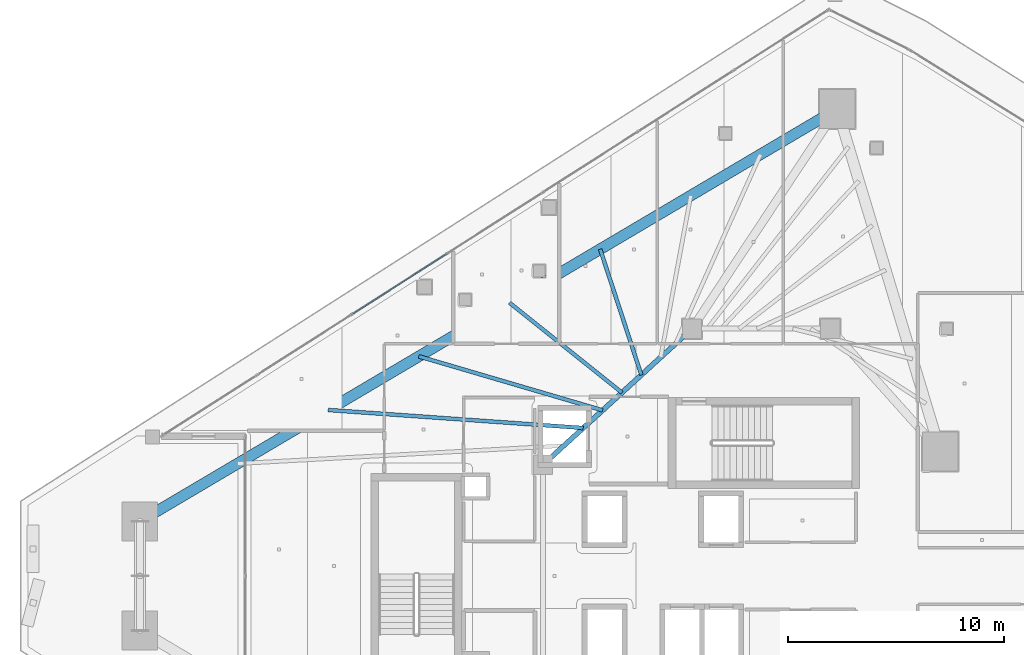
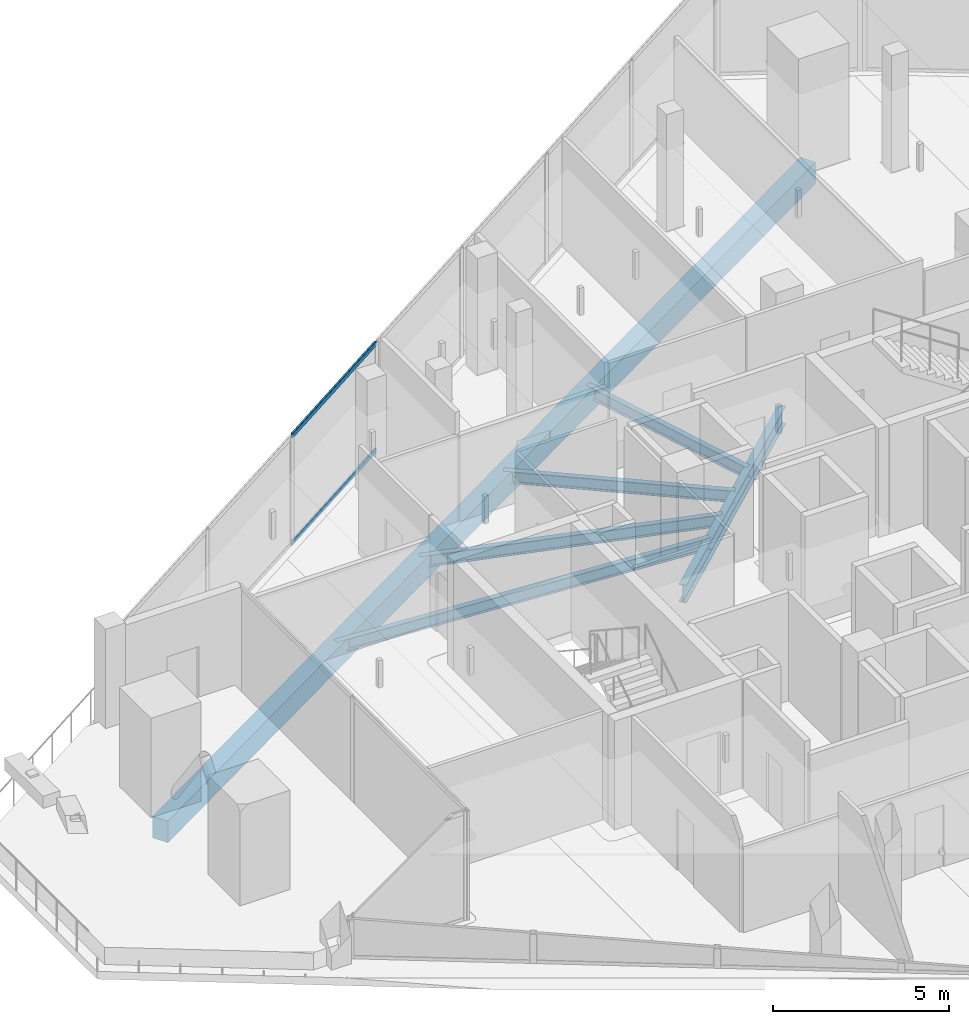
# One storey, part 13 of 32: 6 beams, 2 members, 1 element without a shape of its own.
"""IFC4 building model written with IfcOpenShell, lengths in metres."""

from ifc_helpers import new_model, si_unit, direction, frame, origin, origin_2d, place, context, subcontext, project, spatial, rectangle, hollow_rectangle, i_section, extrude, material, layer, layer_set, material_profile, profile_set, type_object, element, aggregate, save


model = new_model("IFC4")

# Units and contexts
model_context = context("Model", 3, precision=1e-05, world=origin(), true_north=direction((0.0, 1.0)))
body_context = subcontext(model_context, "Body", "Model", "MODEL_VIEW")
ifc_project = project(units=[si_unit("LENGTHUNIT", "METRE"), si_unit("AREAUNIT", "SQUARE_METRE"), si_unit("VOLUMEUNIT", "CUBIC_METRE"), si_unit("PLANEANGLEUNIT", "RADIAN"), si_unit("MASSUNIT", "GRAM", prefix="KILO")], contexts=[model_context])

# Site, building, storey
site_placement = place(None, origin())
site = spatial("IfcSite", under=ifc_project, at=site_placement, CompositionType="ELEMENT")
building_placement = place(site_placement, origin())
building = spatial("IfcBuilding", under=site, at=building_placement, Name="Qorvath Tower", CompositionType="ELEMENT")
storey_placement = place(building_placement, frame((0.0, 0.0, 233.39990234375)))
storey = spatial("IfcBuildingStorey", under=building, at=storey_placement, Name="L54", CompositionType="ELEMENT", Elevation=233.39990234375)

# Beams
ifc_material_1 = material(Name="Steel ASTM A992 Grade 50", Category="steel")
ifc_material_profile_1 = material_profile(ifc_material_1, i_section(OverallWidth=0.22998046875, OverallDepth=0.616943359375, WebThickness=0.01318359375, FlangeThickness=0.022216796875, FilletRadius=0.014892578125, at=origin_2d()), Name="W24x94")
ifc_profile_set_1 = profile_set([ifc_material_profile_1], Name="Steel ASTM A992 Grade 50")
beam_type_1 = type_object("IfcBeamType", Name="BM-FG6", PredefinedType="BEAM", material=ifc_profile_set_1)
beam_1_placement = place(storey_placement, frame((-30.5, 5.14990234375, -0.57861328125), z_axis=(0.73847813985, 0.6742774184, 0.0), x_axis=(-0.6742774184, 0.73847813985, 0.0)))
element("IfcBeam", 1, at=beam_1_placement, inside=storey, type_object=beam_type_1, Name="Core Ring Girder CC5-CC1 L54", PredefinedType="BEAM", context=body_context, shape_type="SweptSolid", body=[
    extrude(i_section(OverallWidth=0.22998046875, OverallDepth=0.616943359375, WebThickness=0.01318359375, FlangeThickness=0.022216796875, FilletRadius=0.014892578125, at=origin_2d()), origin(), (0.0, 0.0, 1.0), 9.343505859375),
])
ifc_material_2 = material(Name="Steel ASTM A992 Grade 50", Category="steel")
ifc_material_profile_2 = material_profile(ifc_material_2, i_section(OverallWidth=0.177978515625, OverallDepth=0.406005859375, WebThickness=0.0078125, FlangeThickness=0.0126953125, FilletRadius=0.010986328125, at=origin_2d()), Name="W16x40")
ifc_profile_set_2 = profile_set([ifc_material_profile_2], Name="Steel ASTM A992 Grade 50")
beam_type_2 = type_object("IfcBeamType", Name="BM-FJ3", PredefinedType="JOIST", material=ifc_profile_set_2)
beam_2_placement = place(storey_placement, frame((-28.636962890625, 6.85107421875, -0.472900390625), z_axis=(-0.997520476731, 0.070376832146, 0.0), x_axis=(-0.070376832146, -0.997520476731, 0.0)))
element("IfcBeam", 2, at=beam_2_placement, inside=storey, type_object=beam_type_2, Name="Composite Floor Joist NW2 L54", PredefinedType="JOIST", context=body_context, shape_type="SweptSolid", body=[
    extrude(i_section(OverallWidth=0.177978515625, OverallDepth=0.406005859375, WebThickness=0.0078125, FlangeThickness=0.0126953125, FilletRadius=0.010986328125, at=origin_2d()), origin(), (0.0, 0.0, 1.0), 11.84326171875),
])
beam_3_placement = place(storey_placement, frame((-27.739990234375, 7.669921875, -0.472900390625), z_axis=(-0.959544992264, 0.281555337049, 0.0), x_axis=(-0.281555337049, -0.959544992264, 0.0)))
element("IfcBeam", 3, at=beam_3_placement, inside=storey, type_object=beam_type_2, Name="Composite Floor Joist NW3 L54", PredefinedType="JOIST", context=body_context, shape_type="SweptSolid", body=[
    extrude(i_section(OverallWidth=0.177978515625, OverallDepth=0.406005859375, WebThickness=0.0078125, FlangeThickness=0.0126953125, FilletRadius=0.010986328125, at=origin_2d()), origin(), (0.0, 0.0, 1.0), 8.87060546875),
])
beam_4_placement = place(storey_placement, frame((-26.843017578125, 8.489013671875, -0.472900390625), z_axis=(-0.781336553339, 0.624109918537, 0.0), x_axis=(-0.624109918537, -0.781336553339, 0.0)))
element("IfcBeam", 4, at=beam_4_placement, inside=storey, type_object=beam_type_2, Name="Composite Floor Joist NW4 L54", PredefinedType="JOIST", context=body_context, shape_type="SweptSolid", body=[
    extrude(i_section(OverallWidth=0.177978515625, OverallDepth=0.406005859375, WebThickness=0.0078125, FlangeThickness=0.0126953125, FilletRadius=0.010986328125, at=origin_2d()), origin(), (0.0, 0.0, 1.0), 6.667724609375),
])
beam_5_placement = place(storey_placement, frame((-25.946044921875, 9.30810546875, -0.472900390625), z_axis=(-0.311228747452, 0.950335028692, 0.0), x_axis=(-0.950335028692, -0.311228747452, 0.0)))
element("IfcBeam", 5, at=beam_5_placement, inside=storey, type_object=beam_type_2, Name="Composite Floor Joist NW5 L54", PredefinedType="JOIST", context=body_context, shape_type="SweptSolid", body=[
    extrude(i_section(OverallWidth=0.177978515625, OverallDepth=0.406005859375, WebThickness=0.0078125, FlangeThickness=0.0126953125, FilletRadius=0.010986328125, at=origin_2d()), origin(), (0.0, 0.0, 1.0), 6.129638671875),
])
ifc_material_3 = material(Name="Concrete C45/55", Category="concrete")
ifc_material_profile_3 = material_profile(ifc_material_3, rectangle(XDim=0.5, YDim=0.75, at=origin_2d()), Name="RCB 750x500")
ifc_profile_set_3 = profile_set([ifc_material_profile_3], Name="Concrete C45/55")
beam_type_3 = type_object("IfcBeamType", Name="BM-RCB3", PredefinedType="SPANDREL", material=ifc_profile_set_3)
beam_6_placement = place(storey_placement, frame((-16.87158203125, 21.627197265625, -0.64501953125), z_axis=(-0.860776759786, -0.50898268125, 0.0), x_axis=(0.50898268125, -0.860776759786, 0.0)))
element("IfcBeam", 6, at=beam_6_placement, inside=storey, type_object=beam_type_3, Name="Perimeter Loggia Frame Beam MC6-MC1 L54", PredefinedType="SPANDREL", context=body_context, shape_type="SweptSolid", body=[
    extrude(rectangle(XDim=0.5, YDim=0.75, at=origin_2d()), origin(), (0.0, 0.0, 1.0), 37.524658203125),
])

# Curtain wall, members
ifc_material_4 = material(Name="Anodised aluminium and triple low-E glass", Category="aluminium")
ifc_layer = layer(ifc_material_4, 0.179931640625)
ifc_layer_set = layer_set([ifc_layer], Name="CW-SYS-5")
curtain_wall_type = type_object("IfcCurtainWallType", Name="CW-SYS-5", PredefinedType="NOTDEFINED", material=ifc_layer_set)
curtain_wall_placement = place(storey_placement, origin())
curtain_wall = element("IfcCurtainWall", 7, at=curtain_wall_placement, inside=storey, type_object=curtain_wall_type, Name="Curtain Wall CW-5 CW-T-L54-18.1", PredefinedType="NOTDEFINED")
ifc_material_5 = material(Name="Anodised aluminium 6063-T6", Category="aluminium")
ifc_material_profile_4 = material_profile(ifc_material_5, hollow_rectangle(XDim=0.06494140625, YDim=0.159912109375, WallThickness=0.00341796875, InnerFilletRadius=0.00341796875, OuterFilletRadius=0.007080078125, at=origin_2d()), Name="CWT 160x65")
ifc_profile_set_4 = profile_set([ifc_material_profile_4], Name="Anodised aluminium 6063-T6")
member_type = type_object("IfcMemberType", Name="CWT-160", PredefinedType="USERDEFINED", material=ifc_profile_set_4)
member_1_placement = place(storey_placement, frame((-34.948486328125, 14.922119140625, 0.032470703125), z_axis=(-0.842614632309, -0.538517020548, 0.0), x_axis=(0.538517020548, -0.842614632309, 0.0)))
member_1 = element("IfcMember", 8, at=member_1_placement, type_object=member_type, Name="CW-5 transom 5.1", ObjectType="TRANSOM", PredefinedType="USERDEFINED", context=body_context, shape_type="SweptSolid", body=[
    extrude(hollow_rectangle(XDim=0.06494140625, YDim=0.159912109375, WallThickness=0.00341796875, InnerFilletRadius=0.00341796875, OuterFilletRadius=0.007080078125, at=origin_2d()), origin(), (0.0, 0.0, 1.0), 5.16455078125),
])
member_2_placement = place(storey_placement, frame((-34.948486328125, 14.922119140625, 3.74755859375), z_axis=(-0.842614632309, -0.538517020548, 0.0), x_axis=(0.538517020548, -0.842614632309, 0.0)))
member_2 = element("IfcMember", 9, at=member_2_placement, type_object=member_type, Name="CW-5 transom 5.2", ObjectType="TRANSOM", PredefinedType="USERDEFINED", context=body_context, shape_type="SweptSolid", body=[
    extrude(hollow_rectangle(XDim=0.06494140625, YDim=0.159912109375, WallThickness=0.00341796875, InnerFilletRadius=0.00341796875, OuterFilletRadius=0.007080078125, at=origin_2d()), origin(), (0.0, 0.0, 1.0), 5.16455078125),
])
aggregate(curtain_wall, [member_1, member_2])

save(model, "model.ifc")
